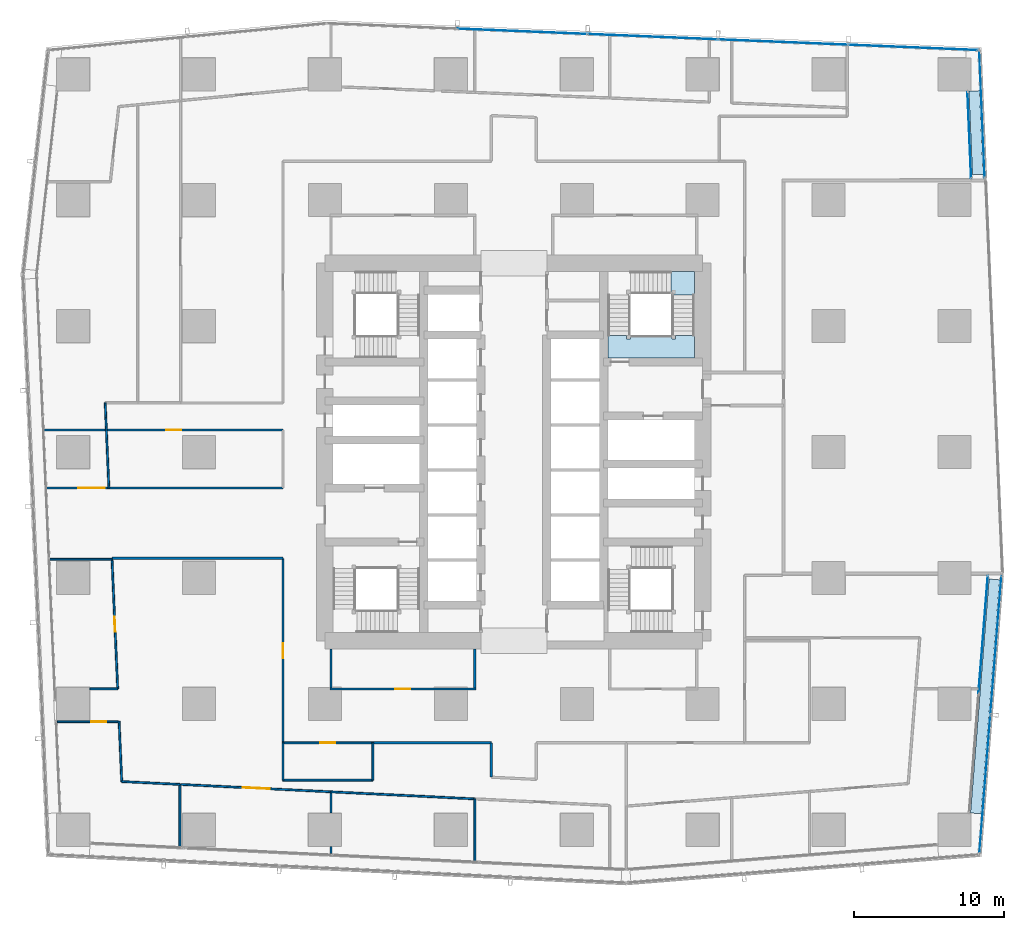
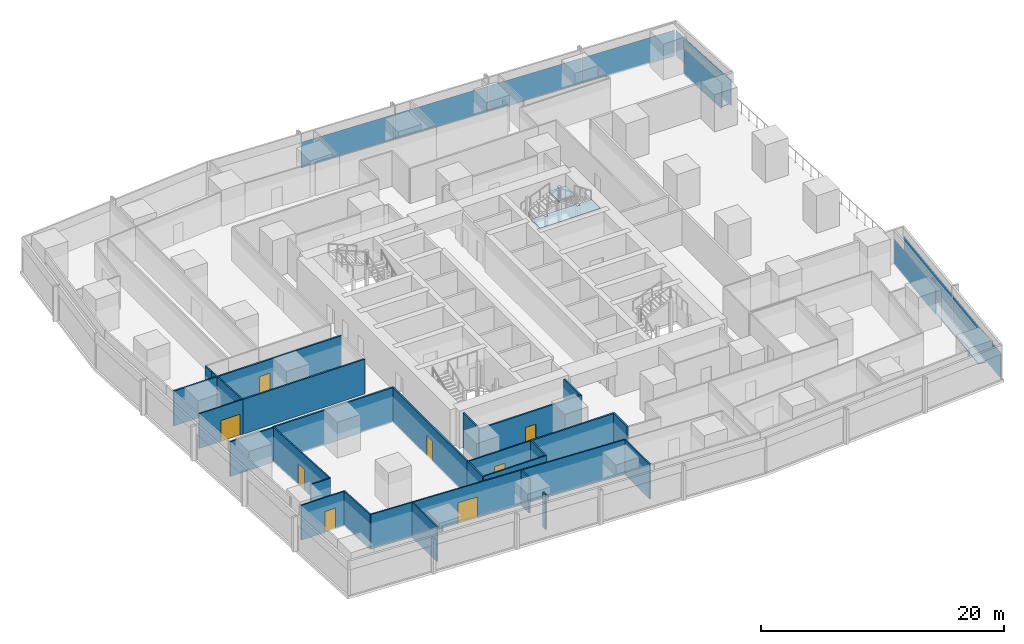
# One storey, part 29 of 42: 30 walls, 11 plates, 8 doors, 2 slabs, 8 openings, 6 elements without a shape of their own.
"""IFC4 building model written with IfcOpenShell, lengths in metres."""

import ifcopenshell
import ifcopenshell.guid

model = None  # the IFC model being written
_history = None  # IfcOwnerHistory: only IFC2X3 demands one
_inside = {}  # id of a spatial element -> (the spatial element, [elements in it])
_under = {}  # id of a project, library or spatial element -> (it, [spatial elements below it])
_declared = {}  # id of a project -> (the project, [libraries it declares])
_typed = {}  # id of a type object -> (the type object, [elements of that type])
_made_of = {}  # id of a material, layer set ... -> (it, [elements and type objects made of it])


def new_model(schema):
    """Start an empty IFC model of exactly this schema.

    Asked for "IFC4X3", IfcOpenShell would pick the latest addendum, in which some entities
    have other attributes; the version numbers below select the first issue.
    IFC2X3 requires an IfcOwnerHistory on every rooted entity: one is made here for all.
    """
    global model, _history
    if schema == "IFC4X3":
        model = ifcopenshell.file(schema_version=(4, 3, 0, 0))
    else:
        model = ifcopenshell.file(schema=schema)
    _inside.clear()
    _under.clear()
    _declared.clear()
    _typed.clear()
    _made_of.clear()
    _history = None
    if model.schema == "IFC2X3":
        org = make("IfcOrganization", Name="unknown")
        user = make(
            "IfcPersonAndOrganization",
            ThePerson=make("IfcPerson", FamilyName="unknown"),
            TheOrganization=org,
        )
        app = make(
            "IfcApplication",
            ApplicationDeveloper=org,
            Version="unknown",
            ApplicationFullName="unknown",
            ApplicationIdentifier="unknown",
        )
        _history = make(
            "IfcOwnerHistory",
            OwningUser=user,
            OwningApplication=app,
            ChangeAction="ADDED",
            CreationDate=0,
        )
    return model


def make(cls, **values):
    """One entity of the class cls with the attributes given. An attribute that is None is left unset."""
    return model.create_entity(
        cls, **{name: value for name, value in values.items() if value is not None}
    )


def rooted(cls, **values):
    """An entity with a GlobalId (a new one), such as an element, a storey or a relation."""
    return make(cls, GlobalId=ifcopenshell.guid.new(), OwnerHistory=_history, **values)


def si_unit(unit_type, name, prefix=None):
    """IfcSIUnit, for example si_unit("LENGTHUNIT", "METRE", prefix="MILLI")."""
    return make("IfcSIUnit", UnitType=unit_type, Prefix=prefix, Name=name)


def assignment(units):
    """IfcUnitAssignment: the units of a project."""
    return None if units is None else make("IfcUnitAssignment", Units=units)


def point(xyz):
    """IfcCartesianPoint."""
    return None if xyz is None else make("IfcCartesianPoint", Coordinates=xyz)


def direction(xyz):
    """IfcDirection."""
    return None if xyz is None else make("IfcDirection", DirectionRatios=xyz)


def frame(location, z_axis=None, x_axis=None):
    """IfcAxis2Placement3D, a coordinate frame: its origin and axes. An axis left out is left unset."""
    return make(
        "IfcAxis2Placement3D",
        Location=point(location),
        Axis=direction(z_axis),
        RefDirection=direction(x_axis),
    )


def frame_2d(location, x_axis=None):
    """IfcAxis2Placement2D, a coordinate frame in the plane: its origin and x axis."""
    return make(
        "IfcAxis2Placement2D", Location=point(location), RefDirection=direction(x_axis)
    )


def origin():
    """The frame at (0, 0, 0) with its axes left unset."""
    return frame((0.0, 0.0, 0.0))


def origin_2d():
    """The frame at (0, 0) in the plane with its x axis left unset."""
    return frame_2d((0.0, 0.0))


def place(relative_to, where):
    """IfcLocalPlacement: puts the frame where relative to a parent placement (None: the world)."""
    return make(
        "IfcLocalPlacement", PlacementRelTo=relative_to, RelativePlacement=where
    )


def context(
    kind, dimensions, precision=None, world=None, true_north=None, identifier=None
):
    """IfcGeometricRepresentationContext, for example the 3D "Model" context."""
    return make(
        "IfcGeometricRepresentationContext",
        ContextIdentifier=identifier,
        ContextType=kind,
        CoordinateSpaceDimension=dimensions,
        Precision=precision,
        WorldCoordinateSystem=world,
        TrueNorth=true_north,
    )


def subcontext(parent, identifier, kind, view, scale=None):
    """IfcGeometricRepresentationSubContext, for example "Body" below "Model"."""
    return make(
        "IfcGeometricRepresentationSubContext",
        ContextIdentifier=identifier,
        ContextType=kind,
        ParentContext=parent,
        TargetScale=scale,
        TargetView=view,
    )


def project(units=None, contexts=None):
    """IfcProject with its units and contexts."""
    return rooted(
        "IfcProject",
        Name="project",
        RepresentationContexts=contexts,
        UnitsInContext=assignment(units),
    )


def spatial(cls, under=None, at=None, **own):
    """A site, building, storey or space (cls), placed at a placement, below another one or the project."""
    s = rooted(cls, ObjectPlacement=at, **own)
    if under is not None:
        _under.setdefault(under.id(), (under, []))[1].append(s)
    return s


def polyline(points):
    """IfcPolyline through the points."""
    return make("IfcPolyline", Points=[point(p) for p in points])


def profile(cls, at=None, kind="AREA", **sizes):
    """A parametric profile (cls). Its sizes go by their IFC names, for example OverallWidth=200.0."""
    return make(cls, ProfileType=kind, Position=at, **sizes)


def rectangle(**sizes):
    """IfcRectangleProfileDef."""
    return profile("IfcRectangleProfileDef", **sizes)


def outline(outer, holes=None, kind="AREA"):
    """IfcArbitraryClosedProfileDef: a profile drawn as a closed curve; with holes, ...WithVoids."""
    if holes is None:
        return make("IfcArbitraryClosedProfileDef", ProfileType=kind, OuterCurve=outer)
    return make(
        "IfcArbitraryProfileDefWithVoids",
        ProfileType=kind,
        OuterCurve=outer,
        InnerCurves=holes,
    )


def extrude(swept, where, along, depth):
    """IfcExtrudedAreaSolid: the profile swept, set in the frame where, extruded along a direction by depth."""
    return make(
        "IfcExtrudedAreaSolid",
        SweptArea=swept,
        Position=where,
        ExtrudedDirection=direction(along),
        Depth=depth,
    )


def shape(context_of_items, identifier, shape_type, items):
    """IfcShapeRepresentation: the items that make up one representation, for example the "Body"."""
    return make(
        "IfcShapeRepresentation",
        ContextOfItems=context_of_items,
        RepresentationIdentifier=identifier,
        RepresentationType=shape_type,
        Items=items,
    )


def material(Name=None, Category=None):
    """IfcMaterial."""
    return make("IfcMaterial", Name=Name, Category=Category)


def layer(
    of_material, thickness, ventilated=None, Name=None, Category=None, Priority=None
):
    """IfcMaterialLayer: one layer of a wall or slab, of a material (None: an air gap)."""
    return make(
        "IfcMaterialLayer",
        Material=of_material,
        LayerThickness=thickness,
        IsVentilated=ventilated,
        Name=Name,
        Category=Category,
        Priority=Priority,
    )


def layer_set(layers, Name=None):
    """IfcMaterialLayerSet."""
    return make("IfcMaterialLayerSet", MaterialLayers=layers, LayerSetName=Name)


def made_of(thing, what):
    """Note that an element or type object is made of a material, layer set ...; save() writes the relation."""
    if what is not None:
        _made_of.setdefault(what.id(), (what, []))[1].append(thing)
    return thing


def type_object(cls, material=None, **own):
    """A type object (cls), such as IfcWallType, which elements share."""
    return made_of(rooted(cls, **own), material)


def element(
    cls,
    number,
    at=None,
    inside=None,
    cuts=None,
    type_object=None,
    material=None,
    context=None,
    identifier="Body",
    shape_type=None,
    held_by="IfcProductDefinitionShape",
    body=None,
    shapes=None,
    **own,
):
    """One element of the class cls, such as IfcWall. Its Tag is "e" and its number.

    at: its placement. inside: the storey or other place that contains it. cuts: it is an
    opening in that element (IfcRelVoidsElement). A single representation is given by context,
    identifier, shape_type and body (its items); several are given by shapes. held_by: the class
    of the entity that holds the representations. save() writes the other relations.
    """
    e = rooted(cls, Tag="e%d" % number, ObjectPlacement=at, **own)
    if body is not None:
        shapes = [shape(context, identifier, shape_type, body)]
    if shapes is not None:
        e.Representation = make(held_by, Representations=shapes)
    if inside is not None:
        _inside.setdefault(inside.id(), (inside, []))[1].append(e)
    if cuts is not None:
        rooted(
            "IfcRelVoidsElement", RelatingBuildingElement=cuts, RelatedOpeningElement=e
        )
    if type_object is not None:
        _typed.setdefault(type_object.id(), (type_object, []))[1].append(e)
    return made_of(e, material)


def fill(opening, filler):
    """IfcRelFillsElement: the door or window that sits in an opening."""
    return rooted(
        "IfcRelFillsElement",
        RelatingOpeningElement=opening,
        RelatedBuildingElement=filler,
    )


def aggregate(whole, parts):
    """IfcRelAggregates: a whole, such as a stair, and the parts it consists of."""
    return rooted("IfcRelAggregates", RelatingObject=whole, RelatedObjects=parts)


def save(model, path):
    """Write the relations noted so far, then the file.

    IfcRelAggregates (storeys below a building ...), IfcRelContainedInSpatialStructure (elements
    in a storey), IfcRelDefinesByType, IfcRelAssociatesMaterial and IfcRelDeclares: one each for
    every whole, place, type object, material and project.
    """
    for whole, parts in _under.values():
        aggregate(whole, parts)
    for where, things in _inside.values():
        rooted(
            "IfcRelContainedInSpatialStructure",
            RelatedElements=things,
            RelatingStructure=where,
        )
    for kind, things in _typed.values():
        rooted("IfcRelDefinesByType", RelatedObjects=things, RelatingType=kind)
    for what, things in _made_of.values():
        rooted("IfcRelAssociatesMaterial", RelatedObjects=things, RelatingMaterial=what)
    for by, libraries in _declared.values():
        rooted("IfcRelDeclares", RelatingContext=by, RelatedDefinitions=libraries)
    model.write(path)


model = new_model("IFC4")

# Units and contexts
model_context = context("Model", 3, precision=1e-05, world=origin(), true_north=direction((0.0, 1.0)))
body_context = subcontext(model_context, "Body", "Model", "MODEL_VIEW")
ifc_project = project(units=[si_unit("LENGTHUNIT", "METRE"), si_unit("AREAUNIT", "SQUARE_METRE"), si_unit("VOLUMEUNIT", "CUBIC_METRE"), si_unit("PLANEANGLEUNIT", "RADIAN"), si_unit("MASSUNIT", "GRAM", prefix="KILO")], contexts=[model_context])

# Site, building, storey
site_placement = place(None, origin())
site = spatial("IfcSite", under=ifc_project, at=site_placement, CompositionType="ELEMENT")
building_placement = place(site_placement, origin())
building = spatial("IfcBuilding", under=site, at=building_placement, Name="Rekha Terrace Tower", CompositionType="ELEMENT")
storey_placement = place(building_placement, frame((0.0, 0.0, 40.39990234375)))
storey = spatial("IfcBuildingStorey", under=building, at=storey_placement, Name="L09", CompositionType="ELEMENT", Elevation=40.39990234375)

# Curtain wall, plate
ifc_material_1 = material(Name="Aluminium framing", Category="aluminium")
curtain_wall_type_1 = type_object("IfcCurtainWallType", Name="CW1 double skin inner glazing", PredefinedType="USERDEFINED", material=ifc_material_1)
curtain_wall_1_placement = place(storey_placement, origin())
curtain_wall_1 = element("IfcCurtainWall", 1, at=curtain_wall_1_placement, inside=storey, type_object=curtain_wall_type_1, Name="CW1 double skin inner glazing", ObjectType="DOUBLE SKIN INNER GLAZING", PredefinedType="USERDEFINED")
ifc_material_2 = material(Name="Double-glazed low-e unit 32", Category="glass")
ifc_layer_1 = layer(ifc_material_2, 0.031982421875)
ifc_layer_set_1 = layer_set([ifc_layer_1], Name="Double-glazed low-e unit 32")
plate_type_1 = type_object("IfcPlateType", Name="CW1 jumbo vision panel, double-glazed low-e unit 32", PredefinedType="CURTAIN_PANEL", material=ifc_layer_set_1)
plate_1_placement = place(storey_placement, frame((69.11279296875, 21.41796875, 0.0), z_axis=(0.0, 0.0, 1.0), x_axis=(0.079116300982, 0.996865392578, 0.0)))
plate_1 = element("IfcPlate", 2, at=plate_1_placement, type_object=plate_type_1, Name="CW1 panel 2.1", PredefinedType="CURTAIN_PANEL", context=body_context, shape_type="SweptSolid", body=[
    extrude(rectangle(XDim=7.865234375, YDim=0.031982421875, at=origin_2d()), origin(), (0.0, 0.0, 1.0), 2.60009765625),
])
aggregate(curtain_wall_1, [plate_1])

curtain_wall_2_placement = place(storey_placement, origin())
curtain_wall_2 = element("IfcCurtainWall", 3, at=curtain_wall_2_placement, inside=storey, type_object=curtain_wall_type_1, Name="CW1 double skin inner glazing", ObjectType="DOUBLE SKIN INNER GLAZING", PredefinedType="USERDEFINED")
plate_2_placement = place(storey_placement, frame((68.189453125, 54.742919921875, 0.0), z_axis=(0.0, 0.0, 1.0), x_axis=(-0.042696073026, 0.9990881069, 0.0)))
plate_2 = element("IfcPlate", 4, at=plate_2_placement, type_object=plate_type_1, Name="CW1 panel 1.1", PredefinedType="CURTAIN_PANEL", context=body_context, shape_type="SweptSolid", body=[
    extrude(rectangle(XDim=5.7412109375, YDim=0.031982421875, at=origin_2d()), origin(), (0.0, 0.0, 1.0), 2.60009765625),
])
aggregate(curtain_wall_2, [plate_2])

# Curtain wall, plates
curtain_wall_type_2 = type_object("IfcCurtainWallType", Name="CW2 double skin outer glazing", PredefinedType="USERDEFINED", material=ifc_material_1)
curtain_wall_3_placement = place(storey_placement, origin())
curtain_wall_3 = element("IfcCurtainWall", 5, at=curtain_wall_3_placement, inside=storey, type_object=curtain_wall_type_2, Name="CW2 double skin outer glazing", ObjectType="DOUBLE SKIN OUTER GLAZING", PredefinedType="USERDEFINED")
ifc_material_3 = material(Name="Toughened single glazing 12", Category="glass")
ifc_layer_2 = layer(ifc_material_3, 0.011962890625)
ifc_layer_set_2 = layer_set([ifc_layer_2], Name="Toughened single glazing 12")
plate_type_2 = type_object("IfcPlateType", Name="CW2 jumbo vision panel, toughened single glazing 12", PredefinedType="CURTAIN_PANEL", material=ifc_layer_set_2)
plate_3_placement = place(storey_placement, frame((69.222900390625, 11.43212890625, 0.0), z_axis=(0.0, 0.0, 1.0), x_axis=(0.079116300982, 0.996865392578, 0.0)))
plate_3 = element("IfcPlate", 6, at=plate_3_placement, type_object=plate_type_2, Name="CW2 panel 1.1", PredefinedType="CURTAIN_PANEL", context=body_context, shape_type="SweptSolid", body=[
    extrude(rectangle(XDim=9.236572265625, YDim=0.011962890625, at=origin_2d()), origin(), (0.0, 0.0, 1.0), 2.60009765625),
])
plate_4_placement = place(storey_placement, frame((69.960205078125, 20.719482421875, 0.0), z_axis=(0.0, 0.0, 1.0), x_axis=(0.079116300982, 0.996865392578, 0.0)))
plate_4 = element("IfcPlate", 7, at=plate_4_placement, type_object=plate_type_2, Name="CW2 panel 2.1", PredefinedType="CURTAIN_PANEL", context=body_context, shape_type="SweptSolid", body=[
    extrude(rectangle(XDim=9.236572265625, YDim=0.011962890625, at=origin_2d()), origin(), (0.0, 0.0, 1.0), 2.60009765625),
])
aggregate(curtain_wall_3, [plate_3, plate_4])

# Curtain wall, plate
curtain_wall_4_placement = place(storey_placement, origin())
curtain_wall_4 = element("IfcCurtainWall", 8, at=curtain_wall_4_placement, inside=storey, type_object=curtain_wall_type_2, Name="CW2 double skin outer glazing", ObjectType="DOUBLE SKIN OUTER GLAZING", PredefinedType="USERDEFINED")
plate_5_placement = place(storey_placement, frame((69.031005859375, 56.128173828125, 0.0), z_axis=(0.0, 0.0, 1.0), x_axis=(-0.042696072956, 0.999088106903, 0.0)))
plate_5 = element("IfcPlate", 9, at=plate_5_placement, type_object=plate_type_2, Name="CW2 panel 1.1", PredefinedType="CURTAIN_PANEL", context=body_context, shape_type="SweptSolid", body=[
    extrude(rectangle(XDim=8.484130859375, YDim=0.011962890625, at=origin_2d()), origin(), (0.0, 0.0, 1.0), 2.60009765625),
])
aggregate(curtain_wall_4, [plate_5])

# Curtain wall, plates
curtain_wall_type_3 = type_object("IfcCurtainWallType", Name="CW3 north unitised glazing", PredefinedType="USERDEFINED", material=ifc_material_1)
curtain_wall_5_placement = place(storey_placement, origin())
curtain_wall_5 = element("IfcCurtainWall", 10, at=curtain_wall_5_placement, inside=storey, type_object=curtain_wall_type_3, Name="CW3 unitised curtain wall", ObjectType="UNITISED CURTAIN WALL", PredefinedType="USERDEFINED")
ifc_material_4 = material(Name="Double-glazed unit 28", Category="glass")
ifc_layer_3 = layer(ifc_material_4, 0.028076171875)
ifc_layer_set_3 = layer_set([ifc_layer_3], Name="Double-glazed unit 28")
plate_type_3 = type_object("IfcPlateType", Name="CW3 jumbo vision panel, double-glazed unit 28", PredefinedType="CURTAIN_PANEL", material=ifc_layer_set_3)
plate_6_placement = place(storey_placement, frame((64.4423828125, 60.587646484375, 0.0), z_axis=(0.0, 0.0, 1.0), x_axis=(-0.999151997647, 0.041173846041, 0.0)))
plate_6 = element("IfcPlate", 11, at=plate_6_placement, type_object=plate_type_3, Name="CW3 panel 1.1", PredefinedType="CURTAIN_PANEL", context=body_context, shape_type="SweptSolid", body=[
    extrude(rectangle(XDim=8.598876953125, YDim=0.028076171875, at=origin_2d()), origin(), (0.0, 0.0, 1.0), 2.60009765625),
])
plate_7_placement = place(storey_placement, frame((55.76318359375, 60.9453125, 0.0), z_axis=(0.0, 0.0, 1.0), x_axis=(-0.999151997647, 0.041173846041, 0.0)))
plate_7 = element("IfcPlate", 12, at=plate_7_placement, type_object=plate_type_3, Name="CW3 panel 2.1", PredefinedType="CURTAIN_PANEL", context=body_context, shape_type="SweptSolid", body=[
    extrude(rectangle(XDim=8.6337890625, YDim=0.028076171875, at=origin_2d()), origin(), (0.0, 0.0, 1.0), 2.60009765625),
])
plate_8_placement = place(storey_placement, frame((47.066650390625, 61.3037109375, 0.0), z_axis=(0.0, 0.0, 1.0), x_axis=(-0.999151997647, 0.041173846041, 0.0)))
plate_8 = element("IfcPlate", 13, at=plate_8_placement, type_object=plate_type_3, Name="CW3 panel 3.1", PredefinedType="CURTAIN_PANEL", context=body_context, shape_type="SweptSolid", body=[
    extrude(rectangle(XDim=8.6337890625, YDim=0.028076171875, at=origin_2d()), origin(), (0.0, 0.0, 1.0), 2.60009765625),
])
plate_9_placement = place(storey_placement, frame((38.370361328125, 61.662109375, 0.0), z_axis=(0.0, 0.0, 1.0), x_axis=(-0.999151997647, 0.041173846041, 0.0)))
plate_9 = element("IfcPlate", 14, at=plate_9_placement, type_object=plate_type_3, Name="CW3 panel 4.1", PredefinedType="CURTAIN_PANEL", context=body_context, shape_type="SweptSolid", body=[
    extrude(rectangle(XDim=8.6337890625, YDim=0.028076171875, at=origin_2d()), origin(), (0.0, 0.0, 1.0), 2.60009765625),
])
aggregate(curtain_wall_5, [plate_6, plate_7, plate_8, plate_9])

# Plates
ifc_material_5 = material(Name="Galvanised steel open grating", Category="steel")
ifc_layer_4 = layer(ifc_material_5, 0.050048828125)
ifc_layer_set_4 = layer_set([ifc_layer_4], Name="Galvanised steel open grating")
plate_type_4 = type_object("IfcPlateType", Name="GT1 cavity walkway grating 50", PredefinedType="USERDEFINED", material=ifc_layer_set_4)
plate_10_placement = place(storey_placement, frame((69.2373046875, 17.29931640625, 0.0), z_axis=(0.0, 0.0, 1.0), x_axis=(0.079116301, 0.996865392576, 0.0)))
element("IfcPlate", 15, at=plate_10_placement, inside=storey, type_object=plate_type_4, Name="Cavity walkway grating", ObjectType="CAVITY WALKWAY GRATING", PredefinedType="USERDEFINED", context=body_context, shape_type="SweptSolid", body=[
    extrude(rectangle(XDim=15.658203125, YDim=0.705078125, at=origin_2d()), origin(), (0.0, 0.0, 1.0), 0.050048828125),
])
plate_11_placement = place(storey_placement, frame((68.633056640625, 54.8994140625, 0.0), z_axis=(0.0, 0.0, 1.0), x_axis=(-0.042696072939, 0.999088106903, 0.0)))
element("IfcPlate", 16, at=plate_11_placement, inside=storey, type_object=plate_type_4, Name="Cavity walkway grating", ObjectType="CAVITY WALKWAY GRATING", PredefinedType="USERDEFINED", context=body_context, shape_type="SweptSolid", body=[
    extrude(rectangle(XDim=5.58447265625, YDim=0.705078125, at=origin_2d()), origin(), (0.0, 0.0, 1.0), 0.050048828125),
])

# Stair, slabs
ifc_material_6 = material(Name="Concrete M40", Category="concrete")
stair_type = type_object("IfcStairType", Name="ST30 stair, 30 risers of 125, going 300, 1500 wide flights, 3 flights", PredefinedType="HALF_TURN_STAIR", material=ifc_material_6)
stair_placement = place(storey_placement, origin())
stair = element("IfcStair", 17, at=stair_placement, inside=storey, type_object=stair_type, Name="Stair ST2 L09 to L10", PredefinedType="HALF_TURN_STAIR")
ifc_layer_5 = layer(ifc_material_6, 0.199951171875)
ifc_layer_set_5 = layer_set([ifc_layer_5], Name="Concrete M40")
slab_type = type_object("IfcSlabType", Name="LD1 200 concrete stair landing", PredefinedType="LANDING", material=ifc_layer_set_5)
slab_1_placement = place(storey_placement, frame((0.0, 0.0, 2.300048828125)))
slab_1 = element("IfcSlab", 18, at=slab_1_placement, type_object=slab_type, Name="ST2 landing 2", PredefinedType="LANDING", context=body_context, shape_type="SweptSolid", body=[
    extrude(outline(polyline([(48.35009765625, 44.074951171875), (49.85009765625, 44.074951171875), (49.85009765625, 45.64990234375), (48.27490234375, 45.64990234375), (48.27490234375, 44.14990234375), (48.35009765625, 44.14990234375), (48.35009765625, 44.074951171875)])), origin(), (0.0, 0.0, 1.0), 0.199951171875),
])
slab_2_placement = place(storey_placement, frame((0.0, 0.0, 3.550048828125)))
slab_2 = element("IfcSlab", 19, at=slab_2_placement, type_object=slab_type, Name="ST2 landing 3", PredefinedType="LANDING", context=body_context, shape_type="SweptSolid", body=[
    extrude(outline(polyline([(44.074951171875, 41.375), (44.074951171875, 39.875), (49.85009765625, 39.875), (49.85009765625, 41.375), (48.60009765625, 41.375), (48.60009765625, 41.125), (48.35009765625, 41.125), (48.35009765625, 41.375), (45.574951171875, 41.375), (45.574951171875, 41.125), (45.324951171875, 41.125), (45.324951171875, 41.375), (44.074951171875, 41.375)])), origin(), (0.0, 0.0, 1.0), 0.199951171875),
])
aggregate(stair, [slab_1, slab_2])

# Wall, opening, door
ifc_material_7 = material(Name="Concrete block masonry, 1 hour", Category="masonry")
ifc_layer_6 = layer(ifc_material_7, 0.14990234375)
ifc_layer_set_6 = layer_set([ifc_layer_6], Name="Concrete block masonry, 1 hour")
wall_type_1 = type_object("IfcWallType", Name="WP2 150 tenancy partition", PredefinedType="PARTITIONING", material=ifc_layer_set_6)
wall_1_placement = place(storey_placement, frame((25.52490234375, 17.800048828125, 0.0), z_axis=(0.0, 0.0, 1.0), x_axis=(1.0, 0.0, 0.0)))
wall_1 = element("IfcWall", 20, at=wall_1_placement, inside=storey, type_object=wall_type_1, Name="Men's WC wall L09", PredefinedType="PARTITIONING", context=body_context, shape_type="SweptSolid", body=[
    extrude(rectangle(XDim=9.75, YDim=0.14990234375, at=frame_2d((4.875, 0.0))), origin(), (0.0, 0.0, 1.0), 3.5),
])
opening_1_placement = place(wall_1_placement, frame((4.375, 0.0, 0.0)))
opening_1 = element("IfcOpeningElement", 21, at=opening_1_placement, cuts=wall_1, Name="Opening D3", PredefinedType="OPENING", context=body_context, shape_type="SweptSolid", body=[
    extrude(rectangle(XDim=1.0, YDim=2.10009765625, at=frame_2d((0.5, 1.050048828125))), frame((0.0, 0.0849609375, 0.0), z_axis=(0.0, -1.0, 0.0), x_axis=(1.0, 0.0, 0.0)), (0.0, 0.0, 1.0), 0.169921875),
])
ifc_material_8 = material(Name="Laminated timber fire door", Category="wood")
door_type_1 = type_object("IfcDoorType", Name="D3 1000x2100 WC door", OperationType="SINGLE_SWING_LEFT", PredefinedType="DOOR", material=ifc_material_8)
door_1_placement = place(opening_1_placement, origin())
door_1 = element("IfcDoor", 22, at=door_1_placement, inside=storey, type_object=door_type_1, Name="Door men's wc L09", OperationType="SINGLE_SWING_LEFT", OverallHeight=2.10009765625, OverallWidth=1.0, PredefinedType="DOOR", context=body_context, shape_type="SweptSolid", body=[
    extrude(rectangle(XDim=1.0, YDim=2.10009765625, at=frame_2d((0.5, 1.050048828125))), frame((0.0, 0.02490234375, 0.0), z_axis=(0.0, -1.0, 0.0), x_axis=(1.0, 0.0, 0.0)), (0.0, 0.0, 1.0), 0.050048828125),
])
fill(opening_1, door_1)

# Walls
for number, where, z_axis, x_axis, name in (
    (23, (25.60009765625, 17.875, 0.0), (0.0, 0.0, 1.0), (0.0, 1.0, 0.0), "Men's WC wall L09"),
    (24, (35.199951171875, 17.875, 0.0), (0.0, 0.0, 1.0), (0.0, 1.0, 0.0), "Men's WC wall L09"),
):
    element("IfcWall", number, at=place(storey_placement, frame(where, z_axis=z_axis, x_axis=x_axis)), inside=storey, type_object=wall_type_1, Name=name, PredefinedType="PARTITIONING", context=body_context, shape_type="SweptSolid", body=[
        extrude(rectangle(XDim=2.574951171875, YDim=0.14990234375, at=frame_2d((1.28759765625, 0.0))), origin(), (0.0, 0.0, 1.0), 3.5),
    ])

# Wall, opening, door
wall_2_placement = place(storey_placement, frame((10.68310546875, 35.077880859375, 0.0), z_axis=(0.0, 0.0, 1.0), x_axis=(1.0, 0.0, 0.0)))
wall_2 = element("IfcWall", 25, at=wall_2_placement, inside=storey, type_object=wall_type_1, Name="Partition L09-O3b", PredefinedType="PARTITIONING", context=body_context, shape_type="SweptSolid", body=[
    extrude(rectangle(XDim=11.716796875, YDim=0.14990234375, at=frame_2d((5.8583984375, 0.0))), origin(), (0.0, 0.0, 1.0), 3.5),
])
opening_2_placement = place(wall_2_placement, frame((3.927001953125, 0.0, 0.0)))
opening_2 = element("IfcOpeningElement", 26, at=opening_2_placement, cuts=wall_2, Name="Opening D9", PredefinedType="OPENING", context=body_context, shape_type="SweptSolid", body=[
    extrude(rectangle(XDim=1.0, YDim=2.10009765625, at=frame_2d((0.5, 1.050048828125))), frame((0.0, 0.0849609375, 0.0), z_axis=(0.0, -1.0, 0.0), x_axis=(1.0, 0.0, 0.0)), (0.0, 0.0, 1.0), 0.169921875),
])
ifc_material_9 = material(Name="Timber fire door", Category="wood")
door_type_2 = type_object("IfcDoorType", Name="D9 1000x2100 office door", OperationType="SINGLE_SWING_LEFT", PredefinedType="DOOR", material=ifc_material_9)
door_2_placement = place(opening_2_placement, origin())
door_2 = element("IfcDoor", 27, at=door_2_placement, inside=storey, type_object=door_type_2, Name="Door open-plan office L09", OperationType="SINGLE_SWING_LEFT", OverallHeight=2.10009765625, OverallWidth=1.0, PredefinedType="DOOR", context=body_context, shape_type="SweptSolid", body=[
    extrude(rectangle(XDim=1.0, YDim=2.10009765625, at=frame_2d((0.5, 1.050048828125))), frame((0.0, 0.02490234375, 0.0), z_axis=(0.0, -1.0, 0.0), x_axis=(1.0, 0.0, 0.0)), (0.0, 0.0, 1.0), 0.050048828125),
])
fill(opening_2, door_2)

# Walls
wall_3_placement = place(storey_placement, frame((22.39990234375, 31.199951171875, 0.0), z_axis=(0.0, 0.0, 1.0), x_axis=(-1.0, 0.0, 0.0)))
element("IfcWall", 28, at=wall_3_placement, inside=storey, type_object=wall_type_1, Name="Partition L09-O3b", PredefinedType="PARTITIONING", context=body_context, shape_type="SweptSolid", body=[
    extrude(rectangle(XDim=11.60986328125, YDim=0.14990234375, at=frame_2d((5.804931640625, 0.0))), origin(), (0.0, 0.0, 1.0), 3.5),
])
wall_4_placement = place(storey_placement, frame((10.55810546875, 35.076904296875, 0.0), z_axis=(0.0, 0.0, 1.0), x_axis=(-1.0, 0.0, 0.0)))
element("IfcWall", 29, at=wall_4_placement, inside=storey, type_object=wall_type_1, Name="Partition L09-O3b", PredefinedType="PARTITIONING", context=body_context, shape_type="SweptSolid", body=[
    extrude(rectangle(XDim=4.092041015625, YDim=0.14990234375, at=frame_2d((2.0458984375, 0.0))), origin(), (0.0, 0.0, 1.0), 3.5),
])
wall_5_placement = place(storey_placement, frame((10.9970703125, 26.511962890625, 0.0), z_axis=(0.0, 0.0, 1.0), x_axis=(1.0, 0.0, 0.0)))
element("IfcWall", 30, at=wall_5_placement, inside=storey, type_object=wall_type_1, Name="Partition L09-O4", PredefinedType="PARTITIONING", context=body_context, shape_type="SweptSolid", body=[
    extrude(rectangle(XDim=11.40283203125, YDim=0.14990234375, at=frame_2d((5.701416015625, 0.0))), origin(), (0.0, 0.0, 1.0), 3.5),
])

# Wall, opening, door
wall_6_placement = place(storey_placement, frame((22.39990234375, 26.511962890625, 0.0), z_axis=(0.0, 0.0, 1.0), x_axis=(0.0, -1.0, 0.0)))
wall_6 = element("IfcWall", 31, at=wall_6_placement, inside=storey, type_object=wall_type_1, Name="Partition L09-O4", PredefinedType="PARTITIONING", context=body_context, shape_type="SweptSolid", body=[
    extrude(rectangle(XDim=12.31201171875, YDim=0.14990234375, at=frame_2d((6.156005859375, 0.0))), origin(), (0.0, 0.0, 1.0), 3.5),
])
opening_3_placement = place(wall_6_placement, frame((5.656005859375, 0.0, 0.0)))
opening_3 = element("IfcOpeningElement", 32, at=opening_3_placement, cuts=wall_6, Name="Opening D9", PredefinedType="OPENING", context=body_context, shape_type="SweptSolid", body=[
    extrude(rectangle(XDim=1.0, YDim=2.10009765625, at=frame_2d((0.5, 1.050048828125))), frame((0.0, 0.0849609375, 0.0), z_axis=(0.0, -1.0, 0.0), x_axis=(1.0, 0.0, 0.0)), (0.0, 0.0, 1.0), 0.169921875),
])
door_3_placement = place(opening_3_placement, origin())
door_3 = element("IfcDoor", 33, at=door_3_placement, inside=storey, type_object=door_type_2, Name="Door open-plan office L09", OperationType="SINGLE_SWING_LEFT", OverallHeight=2.10009765625, OverallWidth=1.0, PredefinedType="DOOR", context=body_context, shape_type="SweptSolid", body=[
    extrude(rectangle(XDim=1.0, YDim=2.10009765625, at=frame_2d((0.5, 1.050048828125))), frame((0.0, 0.02490234375, 0.0), z_axis=(0.0, -1.0, 0.0), x_axis=(1.0, 0.0, 0.0)), (0.0, 0.0, 1.0), 0.050048828125),
])
fill(opening_3, door_3)

# Walls
wall_7_placement = place(storey_placement, frame((28.39990234375, 14.199951171875, 0.0), z_axis=(0.0, 0.0, 1.0), x_axis=(1.0, 0.0, 0.0)))
element("IfcWall", 34, at=wall_7_placement, inside=storey, type_object=wall_type_1, Name="Partition L09-O4", PredefinedType="PARTITIONING", context=body_context, shape_type="SweptSolid", body=[
    extrude(rectangle(XDim=7.900146484375, YDim=0.14990234375, at=frame_2d((3.9501953125, 0.0))), origin(), (0.0, 0.0, 1.0), 3.5),
])
wall_8_placement = place(storey_placement, frame((36.300048828125, 14.199951171875, 0.0), z_axis=(0.0, 0.0, 1.0), x_axis=(0.0, -1.0, 0.0)))
element("IfcWall", 35, at=wall_8_placement, inside=storey, type_object=wall_type_1, Name="Partition L09-O4", PredefinedType="PARTITIONING", context=body_context, shape_type="SweptSolid", body=[
    extrude(rectangle(XDim=2.291015625, YDim=0.14990234375, at=frame_2d((1.1455078125, 0.0))), origin(), (0.0, 0.0, 1.0), 3.5),
])
wall_9_placement = place(storey_placement, frame((25.60302734375, 10.8701171875, 0.0), z_axis=(0.0, 0.0, 1.0), x_axis=(0.0, -1.0, 0.0)))
element("IfcWall", 36, at=wall_9_placement, inside=storey, type_object=wall_type_1, Name="Partition L09-O4", PredefinedType="PARTITIONING", context=body_context, shape_type="SweptSolid", body=[
    extrude(rectangle(XDim=1.35009765625, YDim=0.14990234375, at=frame_2d((0.675048828125, 0.0))), origin(), (0.0, 0.0, 1.0), 3.5),
])
wall_10_placement = place(storey_placement, frame((25.60302734375, 7.280029296875, 0.0), z_axis=(0.0, 0.0, 1.0), x_axis=(0.0, -1.0, 0.0)))
element("IfcWall", 37, at=wall_10_placement, inside=storey, type_object=wall_type_1, Name="Partition L09-O4", PredefinedType="PARTITIONING", context=body_context, shape_type="SweptSolid", body=[
    extrude(rectangle(XDim=0.471923828125, YDim=0.14990234375, at=frame_2d((0.23583984375, 0.0))), origin(), (0.0, 0.0, 1.0), 3.5),
])
ifc_material_10 = material(Name="Two layers of fire-rated gypsum board each side on steel studs, acoustic quilt, 1 hour", Category="steel")
ifc_layer_7 = layer(ifc_material_10, 0.125)
ifc_layer_set_7 = layer_set([ifc_layer_7], Name="Two layers of fire-rated gypsum board each side on steel studs, acoustic quilt, 1 hour")
wall_type_2 = type_object("IfcWallType", Name="WP3 125 office partition", PredefinedType="PARTITIONING", material=ifc_layer_set_7)
wall_11_placement = place(storey_placement, frame((10.541015625, 36.8779296875, 0.0), z_axis=(0.0, 0.0, 1.0), x_axis=(0.0440424538, -0.999029660352, 0.0)))
element("IfcWall", 38, at=wall_11_placement, inside=storey, type_object=wall_type_2, Name="Partition L09-11", PredefinedType="PARTITIONING", context=body_context, shape_type="SweptSolid", body=[
    extrude(rectangle(XDim=0.997802734375, YDim=0.125, at=frame_2d((0.4990234375, 0.0))), origin(), (0.0, 0.0, 1.0), 3.5),
])
wall_12_placement = place(storey_placement, frame((10.5849609375, 35.881103515625, 0.0), z_axis=(0.0, 0.0, 1.0), x_axis=(0.043793560627, -0.999040601801, 0.0)))
element("IfcWall", 39, at=wall_12_placement, inside=storey, type_object=wall_type_2, Name="Partition L09-11", PredefinedType="PARTITIONING", context=body_context, shape_type="SweptSolid", body=[
    extrude(rectangle(XDim=0.802734375, YDim=0.125, at=frame_2d((0.4013671875, 0.0))), origin(), (0.0, 0.0, 1.0), 3.5),
])
wall_13_placement = place(storey_placement, frame((10.6201171875, 35.0791015625, 0.0), z_axis=(0.0, 0.0, 1.0), x_axis=(0.043761924835, -0.999041988074, 0.0)))
element("IfcWall", 40, at=wall_13_placement, inside=storey, type_object=wall_type_2, Name="Partition L09-11", PredefinedType="PARTITIONING", context=body_context, shape_type="SweptSolid", body=[
    extrude(rectangle(XDim=3.8828125, YDim=0.125, at=frame_2d((1.94140625, 0.0))), origin(), (0.0, 0.0, 1.0), 3.5),
])

# Wall, opening, door
wall_14_placement = place(storey_placement, frame((10.7900390625, 31.199951171875, 0.0), z_axis=(0.0, 0.0, 1.0), x_axis=(-1.0, 0.0, 0.0)))
wall_14 = element("IfcWall", 41, at=wall_14_placement, inside=storey, type_object=wall_type_2, Name="Partition L09-11", PredefinedType="PARTITIONING", context=body_context, shape_type="SweptSolid", body=[
    extrude(rectangle(XDim=4.155029296875, YDim=0.125, at=frame_2d((2.07763671875, 0.0))), origin(), (0.0, 0.0, 1.0), 3.5),
])
opening_4_placement = place(wall_14_placement, frame((0.261962890625, 0.0, 0.0)))
opening_4 = element("IfcOpeningElement", 42, at=opening_4_placement, cuts=wall_14, Name="Opening D8", PredefinedType="OPENING", context=body_context, shape_type="SweptSolid", body=[
    extrude(rectangle(XDim=1.800048828125, YDim=2.10009765625, at=frame_2d((0.89990234375, 1.050048828125))), frame((0.0, 0.072509765625, 0.0), z_axis=(0.0, -1.0, 0.0), x_axis=(1.0, 0.0, 0.0)), (0.0, 0.0, 1.0), 0.14501953125),
])
door_type_3 = type_object("IfcDoorType", Name="D8 1800x2100 double leaf door", OperationType="DOUBLE_DOOR_SINGLE_SWING", PredefinedType="DOOR", material=ifc_material_9)
door_4_placement = place(opening_4_placement, origin())
door_4 = element("IfcDoor", 43, at=door_4_placement, inside=storey, type_object=door_type_3, Name="Door reception L09", OperationType="DOUBLE_DOOR_SINGLE_SWING", OverallHeight=2.10009765625, OverallWidth=1.800048828125, PredefinedType="DOOR", context=body_context, shape_type="SweptSolid", body=[
    extrude(rectangle(XDim=1.800048828125, YDim=2.10009765625, at=frame_2d((0.89990234375, 1.050048828125))), frame((0.0, 0.02490234375, 0.0), z_axis=(0.0, -1.0, 0.0), x_axis=(1.0, 0.0, 0.0)), (0.0, 0.0, 1.0), 0.050048828125),
])
fill(opening_4, door_4)

# Wall
wall_15_placement = place(storey_placement, frame((35.199951171875, 6.306884765625, 0.0), z_axis=(0.0, 0.0, 1.0), x_axis=(0.0, 1.0, 0.0)))
element("IfcWall", 44, at=wall_15_placement, inside=storey, type_object=wall_type_2, Name="Partition L09-13", PredefinedType="PARTITIONING", context=body_context, shape_type="SweptSolid", body=[
    extrude(rectangle(XDim=4.155029296875, YDim=0.125, at=frame_2d((2.07763671875, 0.0))), origin(), (0.0, 0.0, 1.0), 3.5),
])

# Wall, opening, door
wall_16_placement = place(storey_placement, frame((10.9970703125, 26.448974609375, 0.0), z_axis=(0.0, 0.0, 1.0), x_axis=(0.043772583163, -0.999041521141, 0.0)))
wall_16 = element("IfcWall", 45, at=wall_16_placement, inside=storey, type_object=wall_type_2, Name="Partition L09-14", PredefinedType="PARTITIONING", context=body_context, shape_type="SweptSolid", body=[
    extrude(rectangle(XDim=8.65625, YDim=0.125, at=frame_2d((4.328125, 0.0))), origin(), (0.0, 0.0, 1.0), 3.5),
])
opening_5_placement = place(wall_16_placement, frame((3.827880859375, 0.0, 0.0)))
opening_5 = element("IfcOpeningElement", 46, at=opening_5_placement, cuts=wall_16, Name="Opening D9", PredefinedType="OPENING", context=body_context, shape_type="SweptSolid", body=[
    extrude(rectangle(XDim=1.0, YDim=2.10009765625, at=frame_2d((0.5, 1.050048828125))), frame((0.0, 0.072509765625, 0.0), z_axis=(0.0, -1.0, 0.0), x_axis=(1.0, 0.0, 0.0)), (0.0, 0.0, 1.0), 0.14501953125),
])
door_5_placement = place(opening_5_placement, origin())
door_5 = element("IfcDoor", 47, at=door_5_placement, inside=storey, type_object=door_type_2, Name="Door meeting room L09", OperationType="SINGLE_SWING_LEFT", OverallHeight=2.10009765625, OverallWidth=1.0, PredefinedType="DOOR", context=body_context, shape_type="SweptSolid", body=[
    extrude(rectangle(XDim=1.0, YDim=2.10009765625, at=frame_2d((0.5, 1.050048828125))), frame((0.0, 0.02490234375, 0.0), z_axis=(0.0, -1.0, 0.0), x_axis=(1.0, 0.0, 0.0)), (0.0, 0.0, 1.0), 0.050048828125),
])
fill(opening_5, door_5)

# Walls
wall_17_placement = place(storey_placement, frame((11.3759765625, 17.801025390625, 0.0), z_axis=(0.0, 0.0, 1.0), x_axis=(-1.0, 0.0, 0.0)))
element("IfcWall", 48, at=wall_17_placement, inside=storey, type_object=wall_type_2, Name="Partition L09-14", PredefinedType="PARTITIONING", context=body_context, shape_type="SweptSolid", body=[
    extrude(rectangle(XDim=1.85595703125, YDim=0.125, at=frame_2d((0.927978515625, 0.0))), origin(), (0.0, 0.0, 1.0), 3.5),
])
wall_18_placement = place(storey_placement, frame((6.843017578125, 26.448974609375, 0.0), z_axis=(0.0, 0.0, 1.0), x_axis=(1.0, 0.0, 0.0)))
element("IfcWall", 49, at=wall_18_placement, inside=storey, type_object=wall_type_2, Name="Partition L09-14", PredefinedType="PARTITIONING", context=body_context, shape_type="SweptSolid", body=[
    extrude(rectangle(XDim=4.154052734375, YDim=0.125, at=frame_2d((2.0771484375, 0.0))), origin(), (0.0, 0.0, 1.0), 3.5),
])
wall_19_placement = place(storey_placement, frame((11.469970703125, 15.64306640625, 0.0), z_axis=(0.0, 0.0, 1.0), x_axis=(0.043689667834, -0.999045150594, 0.0)))
element("IfcWall", 50, at=wall_19_placement, inside=storey, type_object=wall_type_2, Name="Partition L09-15", PredefinedType="PARTITIONING", context=body_context, shape_type="SweptSolid", body=[
    extrude(rectangle(XDim=4.029052734375, YDim=0.125, at=frame_2d((2.0146484375, 0.0))), origin(), (0.0, 0.0, 1.0), 3.5),
])
wall_20_placement = place(storey_placement, frame((11.64599609375, 11.617919921875, 0.0), z_axis=(0.0, 0.0, 1.0), x_axis=(0.998802628605, -0.048921458389, 0.0)))
element("IfcWall", 51, at=wall_20_placement, inside=storey, type_object=wall_type_2, Name="Partition L09-15", PredefinedType="PARTITIONING", context=body_context, shape_type="SweptSolid", body=[
    extrude(rectangle(XDim=3.882568359375, YDim=0.125, at=frame_2d((1.94140625, 0.0))), origin(), (0.0, 0.0, 1.0), 3.5),
])
wall_21_placement = place(storey_placement, frame((15.52392578125, 11.427978515625, 0.0), z_axis=(0.0, 0.0, 1.0), x_axis=(0.0, -1.0, 0.0)))
element("IfcWall", 52, at=wall_21_placement, inside=storey, type_object=wall_type_2, Name="Partition L09-15", PredefinedType="PARTITIONING", context=body_context, shape_type="SweptSolid", body=[
    extrude(rectangle(XDim=4.125, YDim=0.125, at=frame_2d((2.0625, 0.0))), origin(), (0.0, 0.0, 1.0), 3.5),
])

# Wall, opening, door
wall_22_placement = place(storey_placement, frame((7.346923828125, 15.60791015625, 0.0), z_axis=(0.0, 0.0, 1.0), x_axis=(1.0, 0.0, 0.0)))
wall_22 = element("IfcWall", 53, at=wall_22_placement, inside=storey, type_object=wall_type_2, Name="Partition L09-15", PredefinedType="PARTITIONING", context=body_context, shape_type="SweptSolid", body=[
    extrude(rectangle(XDim=4.06201171875, YDim=0.125, at=frame_2d((2.031005859375, 0.0))), origin(), (0.0, 0.0, 1.0), 3.5),
])
opening_6_placement = place(wall_22_placement, frame((2.261962890625, 0.0, 0.0)))
opening_6 = element("IfcOpeningElement", 54, at=opening_6_placement, cuts=wall_22, Name="Opening D9", PredefinedType="OPENING", context=body_context, shape_type="SweptSolid", body=[
    extrude(rectangle(XDim=1.0, YDim=2.10009765625, at=frame_2d((0.5, 1.050048828125))), frame((0.0, 0.072509765625, 0.0), z_axis=(0.0, -1.0, 0.0), x_axis=(1.0, 0.0, 0.0)), (0.0, 0.0, 1.0), 0.14501953125),
])
door_6_placement = place(opening_6_placement, origin())
door_6 = element("IfcDoor", 55, at=door_6_placement, inside=storey, type_object=door_type_2, Name="Door manager's office L09", OperationType="SINGLE_SWING_LEFT", OverallHeight=2.10009765625, OverallWidth=1.0, PredefinedType="DOOR", context=body_context, shape_type="SweptSolid", body=[
    extrude(rectangle(XDim=1.0, YDim=2.10009765625, at=frame_2d((0.5, 1.050048828125))), frame((0.0, 0.02490234375, 0.0), z_axis=(0.0, -1.0, 0.0), x_axis=(1.0, 0.0, 0.0)), (0.0, 0.0, 1.0), 0.050048828125),
])
fill(opening_6, door_6)

wall_23_placement = place(storey_placement, frame((15.5859375, 11.425048828125, 0.0), z_axis=(0.0, 0.0, 1.0), x_axis=(0.998795792239, -0.049060833732, 0.0)))
wall_23 = element("IfcWall", 56, at=wall_23_placement, inside=storey, type_object=wall_type_2, Name="Partition L09-16", PredefinedType="PARTITIONING", context=body_context, shape_type="SweptSolid", body=[
    extrude(rectangle(XDim=10.027099609375, YDim=0.125, at=frame_2d((5.013671875, 0.0))), origin(), (0.0, 0.0, 1.0), 3.5),
])
opening_7_placement = place(wall_23_placement, frame((4.14111328125, 0.0, 0.0)))
opening_7 = element("IfcOpeningElement", 57, at=opening_7_placement, cuts=wall_23, Name="Opening D8", PredefinedType="OPENING", context=body_context, shape_type="SweptSolid", body=[
    extrude(rectangle(XDim=1.800048828125, YDim=2.10009765625, at=frame_2d((0.89990234375, 1.050048828125))), frame((0.0, 0.072509765625, 0.0), z_axis=(0.0, -1.0, 0.0), x_axis=(1.0, 0.0, 0.0)), (0.0, 0.0, 1.0), 0.14501953125),
])
door_7_placement = place(opening_7_placement, origin())
door_7 = element("IfcDoor", 58, at=door_7_placement, inside=storey, type_object=door_type_3, Name="Door breakout lounge L09", OperationType="DOUBLE_DOOR_SINGLE_SWING", OverallHeight=2.10009765625, OverallWidth=1.800048828125, PredefinedType="DOOR", context=body_context, shape_type="SweptSolid", body=[
    extrude(rectangle(XDim=1.800048828125, YDim=2.10009765625, at=frame_2d((0.89990234375, 1.050048828125))), frame((0.0, 0.02490234375, 0.0), z_axis=(0.0, -1.0, 0.0), x_axis=(1.0, 0.0, 0.0)), (0.0, 0.0, 1.0), 0.050048828125),
])
fill(opening_7, door_7)

# Walls
wall_24_placement = place(storey_placement, frame((25.60107421875, 10.93310546875, 0.0), z_axis=(0.0, 0.0, 1.0), x_axis=(0.998797103995, -0.049034121301, 0.0)))
element("IfcWall", 59, at=wall_24_placement, inside=storey, type_object=wall_type_2, Name="Partition L09-16", PredefinedType="PARTITIONING", context=body_context, shape_type="SweptSolid", body=[
    extrude(rectangle(XDim=9.609375, YDim=0.125, at=frame_2d((4.8046875, 0.0))), origin(), (0.0, 0.0, 1.0), 3.5),
])
wall_25_placement = place(storey_placement, frame((28.39990234375, 11.7099609375, 0.0), z_axis=(0.0, 0.0, 1.0), x_axis=(-1.0, 0.0, 0.0)))
element("IfcWall", 60, at=wall_25_placement, inside=storey, type_object=wall_type_2, Name="Partition L09-17", PredefinedType="PARTITIONING", context=body_context, shape_type="SweptSolid", body=[
    extrude(rectangle(XDim=6.0, YDim=0.125, at=frame_2d((3.0, 0.0))), origin(), (0.0, 0.0, 1.0), 3.5),
])
wall_26_placement = place(storey_placement, frame((22.39990234375, 11.7099609375, 0.0), z_axis=(0.0, 0.0, 1.0), x_axis=(0.0, 1.0, 0.0)))
element("IfcWall", 61, at=wall_26_placement, inside=storey, type_object=wall_type_2, Name="Partition L09-17", PredefinedType="PARTITIONING", context=body_context, shape_type="SweptSolid", body=[
    extrude(rectangle(XDim=2.489990234375, YDim=0.125, at=frame_2d((1.2451171875, 0.0))), origin(), (0.0, 0.0, 1.0), 3.5),
])

# Wall, opening, door
wall_27_placement = place(storey_placement, frame((22.39990234375, 14.199951171875, 0.0), z_axis=(0.0, 0.0, 1.0), x_axis=(1.0, 0.0, 0.0)))
wall_27 = element("IfcWall", 62, at=wall_27_placement, inside=storey, type_object=wall_type_2, Name="Partition L09-17", PredefinedType="PARTITIONING", context=body_context, shape_type="SweptSolid", body=[
    extrude(rectangle(XDim=6.0, YDim=0.125, at=frame_2d((3.0, 0.0))), origin(), (0.0, 0.0, 1.0), 3.5),
])
opening_8_placement = place(wall_27_placement, frame((2.5, 0.0, 0.0)))
opening_8 = element("IfcOpeningElement", 63, at=opening_8_placement, cuts=wall_27, Name="Opening D9", PredefinedType="OPENING", context=body_context, shape_type="SweptSolid", body=[
    extrude(rectangle(XDim=1.0, YDim=2.10009765625, at=frame_2d((0.5, 1.050048828125))), frame((0.0, 0.072509765625, 0.0), z_axis=(0.0, -1.0, 0.0), x_axis=(1.0, 0.0, 0.0)), (0.0, 0.0, 1.0), 0.14501953125),
])
door_8_placement = place(opening_8_placement, origin())
door_8 = element("IfcDoor", 64, at=door_8_placement, inside=storey, type_object=door_type_2, Name="Door reception L09", OperationType="SINGLE_SWING_LEFT", OverallHeight=2.10009765625, OverallWidth=1.0, PredefinedType="DOOR", context=body_context, shape_type="SweptSolid", body=[
    extrude(rectangle(XDim=1.0, YDim=2.10009765625, at=frame_2d((0.5, 1.050048828125))), frame((0.0, 0.02490234375, 0.0), z_axis=(0.0, -1.0, 0.0), x_axis=(1.0, 0.0, 0.0)), (0.0, 0.0, 1.0), 0.050048828125),
])
fill(opening_8, door_8)

# Wall
wall_28_placement = place(storey_placement, frame((28.39990234375, 14.199951171875, 0.0), z_axis=(0.0, 0.0, 1.0), x_axis=(0.0, -1.0, 0.0)))
element("IfcWall", 65, at=wall_28_placement, inside=storey, type_object=wall_type_2, Name="Partition L09-17", PredefinedType="PARTITIONING", context=body_context, shape_type="SweptSolid", body=[
    extrude(rectangle(XDim=2.489990234375, YDim=0.125, at=frame_2d((1.2451171875, 0.0))), origin(), (0.0, 0.0, 1.0), 3.5),
])

save(model, "model.ifc")
